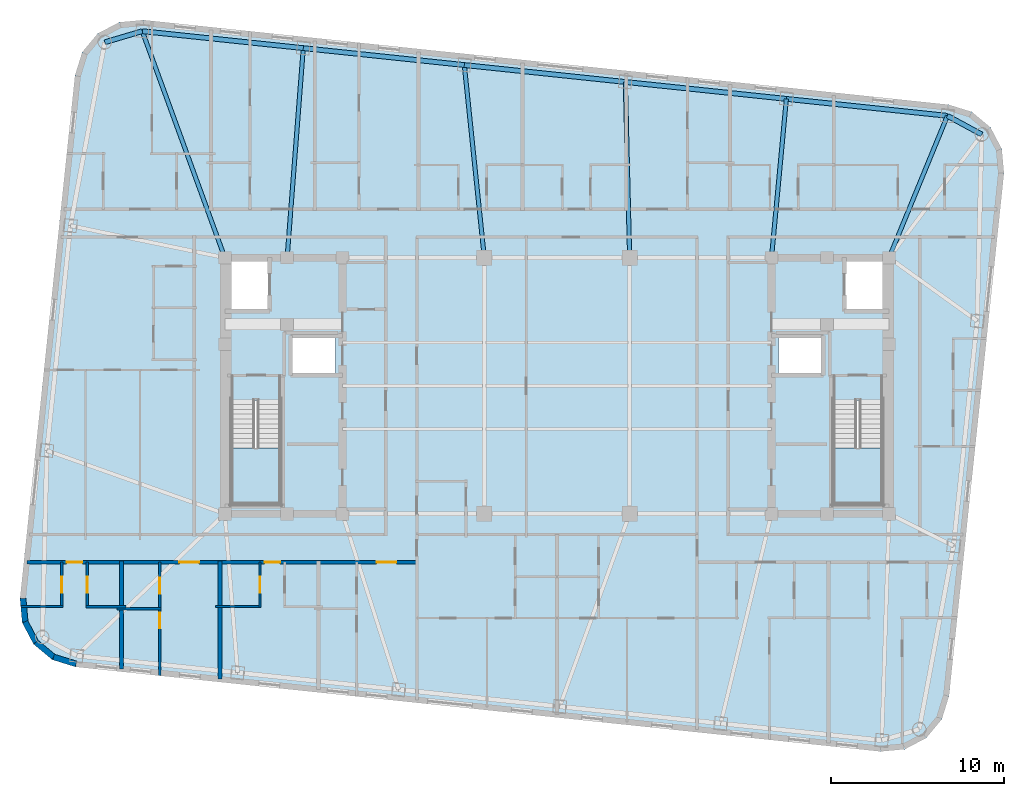
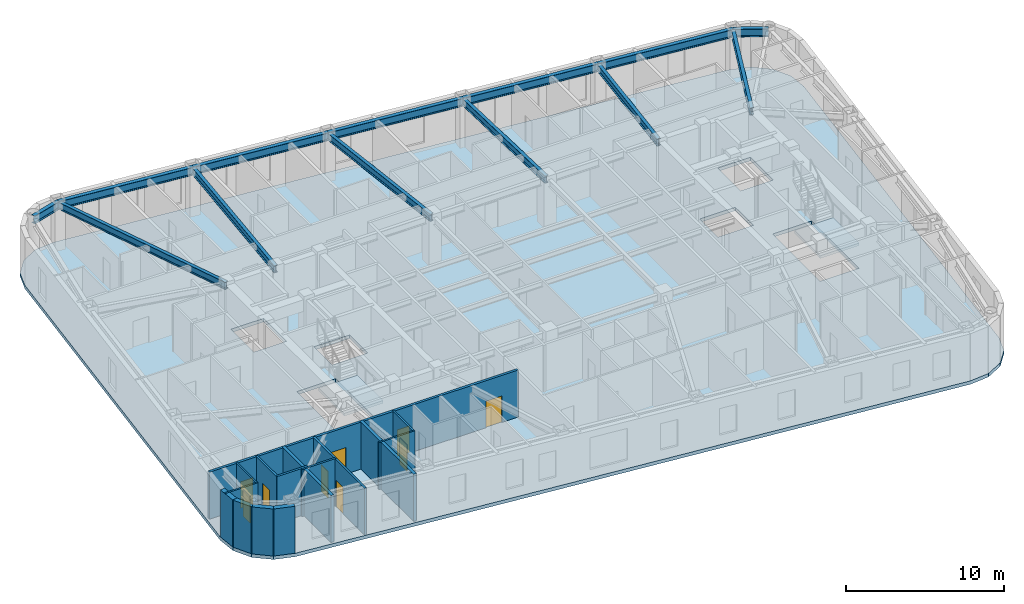
# One storey, part 2 of 11: 16 walls, 13 beams, 9 doors, 3 slabs, 9 openings, 2 elements without a shape of their own.
"""IFC4 building model written with IfcOpenShell, lengths in metres."""

import ifcopenshell
import ifcopenshell.guid

model = None  # the IFC model being written
_history = None  # IfcOwnerHistory: only IFC2X3 demands one
_inside = {}  # id of a spatial element -> (the spatial element, [elements in it])
_under = {}  # id of a project, library or spatial element -> (it, [spatial elements below it])
_declared = {}  # id of a project -> (the project, [libraries it declares])
_typed = {}  # id of a type object -> (the type object, [elements of that type])
_made_of = {}  # id of a material, layer set ... -> (it, [elements and type objects made of it])


def new_model(schema):
    """Start an empty IFC model of exactly this schema.

    Asked for "IFC4X3", IfcOpenShell would pick the latest addendum, in which some entities
    have other attributes; the version numbers below select the first issue.
    IFC2X3 requires an IfcOwnerHistory on every rooted entity: one is made here for all.
    """
    global model, _history
    if schema == "IFC4X3":
        model = ifcopenshell.file(schema_version=(4, 3, 0, 0))
    else:
        model = ifcopenshell.file(schema=schema)
    _inside.clear()
    _under.clear()
    _declared.clear()
    _typed.clear()
    _made_of.clear()
    _history = None
    if model.schema == "IFC2X3":
        org = make("IfcOrganization", Name="unknown")
        user = make(
            "IfcPersonAndOrganization",
            ThePerson=make("IfcPerson", FamilyName="unknown"),
            TheOrganization=org,
        )
        app = make(
            "IfcApplication",
            ApplicationDeveloper=org,
            Version="unknown",
            ApplicationFullName="unknown",
            ApplicationIdentifier="unknown",
        )
        _history = make(
            "IfcOwnerHistory",
            OwningUser=user,
            OwningApplication=app,
            ChangeAction="ADDED",
            CreationDate=0,
        )
    return model


def make(cls, **values):
    """One entity of the class cls with the attributes given. An attribute that is None is left unset."""
    return model.create_entity(
        cls, **{name: value for name, value in values.items() if value is not None}
    )


def rooted(cls, **values):
    """An entity with a GlobalId (a new one), such as an element, a storey or a relation."""
    return make(cls, GlobalId=ifcopenshell.guid.new(), OwnerHistory=_history, **values)


def si_unit(unit_type, name, prefix=None):
    """IfcSIUnit, for example si_unit("LENGTHUNIT", "METRE", prefix="MILLI")."""
    return make("IfcSIUnit", UnitType=unit_type, Prefix=prefix, Name=name)


def assignment(units):
    """IfcUnitAssignment: the units of a project."""
    return None if units is None else make("IfcUnitAssignment", Units=units)


def point(xyz):
    """IfcCartesianPoint."""
    return None if xyz is None else make("IfcCartesianPoint", Coordinates=xyz)


def direction(xyz):
    """IfcDirection."""
    return None if xyz is None else make("IfcDirection", DirectionRatios=xyz)


def frame(location, z_axis=None, x_axis=None):
    """IfcAxis2Placement3D, a coordinate frame: its origin and axes. An axis left out is left unset."""
    return make(
        "IfcAxis2Placement3D",
        Location=point(location),
        Axis=direction(z_axis),
        RefDirection=direction(x_axis),
    )


def frame_2d(location, x_axis=None):
    """IfcAxis2Placement2D, a coordinate frame in the plane: its origin and x axis."""
    return make(
        "IfcAxis2Placement2D", Location=point(location), RefDirection=direction(x_axis)
    )


def origin():
    """The frame at (0, 0, 0) with its axes left unset."""
    return frame((0.0, 0.0, 0.0))


def origin_2d():
    """The frame at (0, 0) in the plane with its x axis left unset."""
    return frame_2d((0.0, 0.0))


def place(relative_to, where):
    """IfcLocalPlacement: puts the frame where relative to a parent placement (None: the world)."""
    return make(
        "IfcLocalPlacement", PlacementRelTo=relative_to, RelativePlacement=where
    )


def context(
    kind, dimensions, precision=None, world=None, true_north=None, identifier=None
):
    """IfcGeometricRepresentationContext, for example the 3D "Model" context."""
    return make(
        "IfcGeometricRepresentationContext",
        ContextIdentifier=identifier,
        ContextType=kind,
        CoordinateSpaceDimension=dimensions,
        Precision=precision,
        WorldCoordinateSystem=world,
        TrueNorth=true_north,
    )


def subcontext(parent, identifier, kind, view, scale=None):
    """IfcGeometricRepresentationSubContext, for example "Body" below "Model"."""
    return make(
        "IfcGeometricRepresentationSubContext",
        ContextIdentifier=identifier,
        ContextType=kind,
        ParentContext=parent,
        TargetScale=scale,
        TargetView=view,
    )


def project(units=None, contexts=None):
    """IfcProject with its units and contexts."""
    return rooted(
        "IfcProject",
        Name="project",
        RepresentationContexts=contexts,
        UnitsInContext=assignment(units),
    )


def spatial(cls, under=None, at=None, **own):
    """A site, building, storey or space (cls), placed at a placement, below another one or the project."""
    s = rooted(cls, ObjectPlacement=at, **own)
    if under is not None:
        _under.setdefault(under.id(), (under, []))[1].append(s)
    return s


def polyline(points):
    """IfcPolyline through the points."""
    return make("IfcPolyline", Points=[point(p) for p in points])


def profile(cls, at=None, kind="AREA", **sizes):
    """A parametric profile (cls). Its sizes go by their IFC names, for example OverallWidth=200.0."""
    return make(cls, ProfileType=kind, Position=at, **sizes)


def rectangle(**sizes):
    """IfcRectangleProfileDef."""
    return profile("IfcRectangleProfileDef", **sizes)


def i_section(**sizes):
    """IfcIShapeProfileDef."""
    return profile("IfcIShapeProfileDef", **sizes)


def outline(outer, holes=None, kind="AREA"):
    """IfcArbitraryClosedProfileDef: a profile drawn as a closed curve; with holes, ...WithVoids."""
    if holes is None:
        return make("IfcArbitraryClosedProfileDef", ProfileType=kind, OuterCurve=outer)
    return make(
        "IfcArbitraryProfileDefWithVoids",
        ProfileType=kind,
        OuterCurve=outer,
        InnerCurves=holes,
    )


def extrude(swept, where, along, depth):
    """IfcExtrudedAreaSolid: the profile swept, set in the frame where, extruded along a direction by depth."""
    return make(
        "IfcExtrudedAreaSolid",
        SweptArea=swept,
        Position=where,
        ExtrudedDirection=direction(along),
        Depth=depth,
    )


def shape(context_of_items, identifier, shape_type, items):
    """IfcShapeRepresentation: the items that make up one representation, for example the "Body"."""
    return make(
        "IfcShapeRepresentation",
        ContextOfItems=context_of_items,
        RepresentationIdentifier=identifier,
        RepresentationType=shape_type,
        Items=items,
    )


def material(Name=None, Category=None):
    """IfcMaterial."""
    return make("IfcMaterial", Name=Name, Category=Category)


def layer(
    of_material, thickness, ventilated=None, Name=None, Category=None, Priority=None
):
    """IfcMaterialLayer: one layer of a wall or slab, of a material (None: an air gap)."""
    return make(
        "IfcMaterialLayer",
        Material=of_material,
        LayerThickness=thickness,
        IsVentilated=ventilated,
        Name=Name,
        Category=Category,
        Priority=Priority,
    )


def layer_set(layers, Name=None):
    """IfcMaterialLayerSet."""
    return make("IfcMaterialLayerSet", MaterialLayers=layers, LayerSetName=Name)


def material_profile(
    of_material, cross_section, Name=None, Category=None, Priority=None
):
    """IfcMaterialProfile: a cross section and its material."""
    return make(
        "IfcMaterialProfile",
        Name=Name,
        Material=of_material,
        Profile=cross_section,
        Priority=Priority,
        Category=Category,
    )


def profile_set(profiles, Name=None, composite=None):
    """IfcMaterialProfileSet."""
    return make(
        "IfcMaterialProfileSet",
        Name=Name,
        MaterialProfiles=profiles,
        CompositeProfile=composite,
    )


def made_of(thing, what):
    """Note that an element or type object is made of a material, layer set ...; save() writes the relation."""
    if what is not None:
        _made_of.setdefault(what.id(), (what, []))[1].append(thing)
    return thing


def type_object(cls, material=None, **own):
    """A type object (cls), such as IfcWallType, which elements share."""
    return made_of(rooted(cls, **own), material)


def element(
    cls,
    number,
    at=None,
    inside=None,
    cuts=None,
    type_object=None,
    material=None,
    context=None,
    identifier="Body",
    shape_type=None,
    held_by="IfcProductDefinitionShape",
    body=None,
    shapes=None,
    **own,
):
    """One element of the class cls, such as IfcWall. Its Tag is "e" and its number.

    at: its placement. inside: the storey or other place that contains it. cuts: it is an
    opening in that element (IfcRelVoidsElement). A single representation is given by context,
    identifier, shape_type and body (its items); several are given by shapes. held_by: the class
    of the entity that holds the representations. save() writes the other relations.
    """
    e = rooted(cls, Tag="e%d" % number, ObjectPlacement=at, **own)
    if body is not None:
        shapes = [shape(context, identifier, shape_type, body)]
    if shapes is not None:
        e.Representation = make(held_by, Representations=shapes)
    if inside is not None:
        _inside.setdefault(inside.id(), (inside, []))[1].append(e)
    if cuts is not None:
        rooted(
            "IfcRelVoidsElement", RelatingBuildingElement=cuts, RelatedOpeningElement=e
        )
    if type_object is not None:
        _typed.setdefault(type_object.id(), (type_object, []))[1].append(e)
    return made_of(e, material)


def fill(opening, filler):
    """IfcRelFillsElement: the door or window that sits in an opening."""
    return rooted(
        "IfcRelFillsElement",
        RelatingOpeningElement=opening,
        RelatedBuildingElement=filler,
    )


def aggregate(whole, parts):
    """IfcRelAggregates: a whole, such as a stair, and the parts it consists of."""
    return rooted("IfcRelAggregates", RelatingObject=whole, RelatedObjects=parts)


def save(model, path):
    """Write the relations noted so far, then the file.

    IfcRelAggregates (storeys below a building ...), IfcRelContainedInSpatialStructure (elements
    in a storey), IfcRelDefinesByType, IfcRelAssociatesMaterial and IfcRelDeclares: one each for
    every whole, place, type object, material and project.
    """
    for whole, parts in _under.values():
        aggregate(whole, parts)
    for where, things in _inside.values():
        rooted(
            "IfcRelContainedInSpatialStructure",
            RelatedElements=things,
            RelatingStructure=where,
        )
    for kind, things in _typed.values():
        rooted("IfcRelDefinesByType", RelatedObjects=things, RelatingType=kind)
    for what, things in _made_of.values():
        rooted("IfcRelAssociatesMaterial", RelatedObjects=things, RelatingMaterial=what)
    for by, libraries in _declared.values():
        rooted("IfcRelDeclares", RelatingContext=by, RelatedDefinitions=libraries)
    model.write(path)


model = new_model("IFC4")

# Units and contexts
model_context = context("Model", 3, precision=1e-05, world=origin(), true_north=direction((0.0, 1.0)))
body_context = subcontext(model_context, "Body", "Model", "MODEL_VIEW")
ifc_project = project(units=[si_unit("LENGTHUNIT", "METRE"), si_unit("AREAUNIT", "SQUARE_METRE"), si_unit("VOLUMEUNIT", "CUBIC_METRE"), si_unit("PLANEANGLEUNIT", "RADIAN"), si_unit("MASSUNIT", "GRAM", prefix="KILO")], contexts=[model_context])

# Site, building, storey
site_placement = place(None, origin())
site = spatial("IfcSite", under=ifc_project, at=site_placement, CompositionType="ELEMENT")
building_placement = place(site_placement, origin())
building = spatial("IfcBuilding", under=site, at=building_placement, Name="Voryun Gate Residences", CompositionType="ELEMENT")
storey_placement = place(building_placement, frame((0.0, 0.0, 295.10009765625)))
storey = spatial("IfcBuildingStorey", under=building, at=storey_placement, Name="L73", CompositionType="ELEMENT", Elevation=295.10009765625)

# Beams
ifc_material_1 = material(Name="Steel SM355", Category="steel")
ifc_material_profile_1 = material_profile(ifc_material_1, i_section(OverallWidth=0.280029296875, OverallDepth=0.6201171875, WebThickness=0.013916015625, FlangeThickness=0.02197265625, FilletRadius=0.01806640625, at=origin_2d()), Name="H-620x280x14x22")
ifc_profile_set_1 = profile_set([ifc_material_profile_1], Name="Steel SM355")
beam_type_1 = type_object("IfcBeamType", Name="BM_EXO_SPANDREL_H", PredefinedType="SPANDREL", material=ifc_profile_set_1)
beam_1_placement = place(storey_placement, frame((24.55322265625, 14.52734375, 3.324951171875), z_axis=(-0.878844363117, 0.477108567746, 0.0), x_axis=(-0.477108567746, -0.878844363117, 0.0)))
element("IfcBeam", 1, at=beam_1_placement, inside=storey, type_object=beam_type_1, Name="BM-L73-SPAND-10", PredefinedType="SPANDREL", context=body_context, shape_type="SweptSolid", body=[
    extrude(i_section(OverallWidth=0.280029296875, OverallDepth=0.6201171875, WebThickness=0.013916015625, FlangeThickness=0.02197265625, FilletRadius=0.01806640625, at=origin_2d()), origin(), (0.0, 0.0, 1.0), 2.257568359375),
])
beam_2_placement = place(storey_placement, frame((22.569091796875, 15.6044921875, 3.324951171875), z_axis=(-0.994520592114, 0.104540862157, 0.0), x_axis=(-0.104540862157, -0.994520592114, 0.0)))
element("IfcBeam", 2, at=beam_2_placement, inside=storey, type_object=beam_type_1, Name="BM-L73-SPAND-11", PredefinedType="SPANDREL", context=body_context, shape_type="SweptSolid", body=[
    extrude(i_section(OverallWidth=0.280029296875, OverallDepth=0.6201171875, WebThickness=0.013916015625, FlangeThickness=0.02197265625, FilletRadius=0.01806640625, at=origin_2d()), origin(), (0.0, 0.0, 1.0), 9.360107421875),
])
beam_3_placement = place(storey_placement, frame((13.26025390625, 16.5830078125, 3.324951171875), z_axis=(-0.994523018663, 0.104517775278, 0.0), x_axis=(-0.104517775278, -0.994523018663, 0.0)))
element("IfcBeam", 3, at=beam_3_placement, inside=storey, type_object=beam_type_1, Name="BM-L73-SPAND-12", PredefinedType="SPANDREL", context=body_context, shape_type="SweptSolid", body=[
    extrude(i_section(OverallWidth=0.280029296875, OverallDepth=0.6201171875, WebThickness=0.013916015625, FlangeThickness=0.02197265625, FilletRadius=0.01806640625, at=origin_2d()), origin(), (0.0, 0.0, 1.0), 9.35986328125),
])
for number, where, z_axis, x_axis, name in (
    (4, (3.95166015625, 17.561279296875, 3.324951171875), (-0.994520592114, 0.104540862157, 0.0), (-0.104540862157, -0.994520592114, 0.0), "BM-L73-SPAND-13"),
    (5, (-5.357177734375, 18.539794921875, 3.324951171875), (-0.994523303591, 0.104515064059, 0.0), (-0.104515064059, -0.994523303591, 0.0), "BM-L73-SPAND-14"),
):
    element("IfcBeam", number, at=place(storey_placement, frame(where, z_axis=z_axis, x_axis=x_axis)), inside=storey, type_object=beam_type_1, Name=name, PredefinedType="SPANDREL", context=body_context, shape_type="SweptSolid", body=[
        extrude(i_section(OverallWidth=0.280029296875, OverallDepth=0.6201171875, WebThickness=0.013916015625, FlangeThickness=0.02197265625, FilletRadius=0.01806640625, at=origin_2d()), origin(), (0.0, 0.0, 1.0), 9.360107421875),
    ])
beam_4_placement = place(storey_placement, frame((-14.666015625, 19.51806640625, 3.324951171875), z_axis=(-0.994520307047, 0.104543574031, 0.0), x_axis=(-0.104543574031, -0.994520307047, 0.0)))
element("IfcBeam", 6, at=beam_4_placement, inside=storey, type_object=beam_type_1, Name="BM-L73-SPAND-15", PredefinedType="SPANDREL", context=body_context, shape_type="SweptSolid", body=[
    extrude(i_section(OverallWidth=0.280029296875, OverallDepth=0.6201171875, WebThickness=0.013916015625, FlangeThickness=0.02197265625, FilletRadius=0.01806640625, at=origin_2d()), origin(), (0.0, 0.0, 1.0), 9.35986328125),
])
beam_5_placement = place(storey_placement, frame((-23.974609375, 20.49658203125, 3.324951171875), z_axis=(-0.958805748412, -0.28406255792, 0.0), x_axis=(0.28406255792, -0.958805748412, 0.0)))
element("IfcBeam", 7, at=beam_5_placement, inside=storey, type_object=beam_type_1, Name="BM-L73-SPAND-16", PredefinedType="SPANDREL", context=body_context, shape_type="SweptSolid", body=[
    extrude(i_section(OverallWidth=0.280029296875, OverallDepth=0.6201171875, WebThickness=0.013916015625, FlangeThickness=0.02197265625, FilletRadius=0.01806640625, at=origin_2d()), origin(), (0.0, 0.0, 1.0), 2.2578125),
])
ifc_material_2 = material(Name="Steel SM355", Category="steel")
ifc_material_profile_2 = material_profile(ifc_material_2, i_section(OverallWidth=0.239990234375, OverallDepth=0.550048828125, WebThickness=0.011962890625, FlangeThickness=0.02001953125, FilletRadius=0.01806640625, at=origin_2d()), Name="H-550x240x12x20")
ifc_profile_set_2 = profile_set([ifc_material_profile_2], Name="Steel SM355")
beam_type_2 = type_object("IfcBeamType", Name="BM_GIRD_550", PredefinedType="USERDEFINED", material=ifc_profile_set_2)
beam_6_placement = place(storey_placement, frame((19.199951171875, 7.39990234375, 3.35986328125), z_axis=(0.379860811741, 0.925043655026, 0.0), x_axis=(-0.925043655026, 0.379860811741, 0.0)))
element("IfcBeam", 8, at=beam_6_placement, inside=storey, type_object=beam_type_2, Name="BM-L73-RAD-N1", ObjectType="GIRDER", PredefinedType="USERDEFINED", context=body_context, shape_type="SweptSolid", body=[
    extrude(i_section(OverallWidth=0.239990234375, OverallDepth=0.550048828125, WebThickness=0.011962890625, FlangeThickness=0.02001953125, FilletRadius=0.01806640625, at=origin_2d()), origin(), (0.0, 0.0, 1.0), 8.869384765625),
])
beam_7_placement = place(storey_placement, frame((12.39990234375, 7.39990234375, 3.35986328125), z_axis=(0.093280030115, 0.995639912811, 0.0), x_axis=(-0.995639912811, 0.093280030115, 0.0)))
element("IfcBeam", 9, at=beam_7_placement, inside=storey, type_object=beam_type_2, Name="BM-L73-RAD-N2", ObjectType="GIRDER", PredefinedType="USERDEFINED", context=body_context, shape_type="SweptSolid", body=[
    extrude(i_section(OverallWidth=0.239990234375, OverallDepth=0.550048828125, WebThickness=0.011962890625, FlangeThickness=0.02001953125, FilletRadius=0.01806640625, at=origin_2d()), origin(), (0.0, 0.0, 1.0), 9.223388671875),
])
beam_8_placement = place(storey_placement, frame((4.199951171875, 7.39990234375, 3.35986328125), z_axis=(-0.024427489288, 0.999701604364, 0.0), x_axis=(-0.999701604364, -0.024427489288, 0.0)))
element("IfcBeam", 10, at=beam_8_placement, inside=storey, type_object=beam_type_2, Name="BM-L73-RAD-N3", ObjectType="GIRDER", PredefinedType="USERDEFINED", context=body_context, shape_type="SweptSolid", body=[
    extrude(i_section(OverallWidth=0.239990234375, OverallDepth=0.550048828125, WebThickness=0.011962890625, FlangeThickness=0.02001953125, FilletRadius=0.01806640625, at=origin_2d()), origin(), (0.0, 0.0, 1.0), 10.164306640625),
])
beam_9_placement = place(storey_placement, frame((-4.199951171875, 7.39990234375, 3.35986328125), z_axis=(-0.103325291149, 0.994647618109, 0.0), x_axis=(-0.994647618109, -0.103325291149, 0.0)))
element("IfcBeam", 11, at=beam_9_placement, inside=storey, type_object=beam_type_2, Name="BM-L73-RAD-N4", ObjectType="GIRDER", PredefinedType="USERDEFINED", context=body_context, shape_type="SweptSolid", body=[
    extrude(i_section(OverallWidth=0.239990234375, OverallDepth=0.550048828125, WebThickness=0.011962890625, FlangeThickness=0.02001953125, FilletRadius=0.01806640625, at=origin_2d()), origin(), (0.0, 0.0, 1.0), 11.199951171875),
])
beam_10_placement = place(storey_placement, frame((-15.60009765625, 7.39990234375, 3.35986328125), z_axis=(0.07685317718, 0.997042420942, 0.0), x_axis=(-0.997042420942, 0.07685317718, 0.0)))
element("IfcBeam", 12, at=beam_10_placement, inside=storey, type_object=beam_type_2, Name="BM-L73-RAD-N5", ObjectType="GIRDER", PredefinedType="USERDEFINED", context=body_context, shape_type="SweptSolid", body=[
    extrude(i_section(OverallWidth=0.239990234375, OverallDepth=0.550048828125, WebThickness=0.011962890625, FlangeThickness=0.02001953125, FilletRadius=0.01806640625, at=origin_2d()), origin(), (0.0, 0.0, 1.0), 12.154052734375),
])
beam_11_placement = place(storey_placement, frame((-19.199951171875, 7.39990234375, 3.35986328125), z_axis=(-0.342517773666, 0.939511348906, 0.0), x_axis=(-0.939511348906, -0.342517773666, 0.0)))
element("IfcBeam", 13, at=beam_11_placement, inside=storey, type_object=beam_type_2, Name="BM-L73-RAD-N6", ObjectType="GIRDER", PredefinedType="USERDEFINED", context=body_context, shape_type="SweptSolid", body=[
    extrude(i_section(OverallWidth=0.239990234375, OverallDepth=0.550048828125, WebThickness=0.011962890625, FlangeThickness=0.02001953125, FilletRadius=0.01806640625, at=origin_2d()), origin(), (0.0, 0.0, 1.0), 13.93994140625),
])

# Slab
ifc_material_3 = material(Name="Concrete C40/50", Category="concrete")
ifc_layer_1 = layer(ifc_material_3, 0.264892578125, Name="SLB_PENT_265")
ifc_layer_set_1 = layer_set([ifc_layer_1], Name="Concrete C40/50")
slab_type_1 = type_object("IfcSlabType", Name="SLB_PENT_265", PredefinedType="FLOOR", material=ifc_layer_set_1)
slab_1_placement = place(storey_placement, frame((0.0, 0.0, -0.26513671875)))
element("IfcSlab", 14, at=slab_1_placement, inside=storey, type_object=slab_type_1, Name="L73 Structural Floor Slab", PredefinedType="FLOOR", context=body_context, shape_type="SweptSolid", body=[
    extrude(outline(polyline([(-27.8369140625, -16.2509765625), (-29.178466796875, -15.83447265625), (-30.25830078125, -14.936279296875), (-30.912353515625, -13.693115234375), (-31.041015625, -12.29443359375), (-27.86328125, 17.93896484375), (-27.44677734375, 19.280517578125), (-26.548583984375, 20.3603515625), (-25.305419921875, 21.014404296875), (-23.90673828125, 21.14306640625), (22.636962890625, 16.2509765625), (23.978515625, 15.83447265625), (25.058349609375, 14.936279296875), (25.71240234375, 13.693115234375), (25.8408203125, 12.29443359375), (22.663330078125, -17.93896484375), (22.246826171875, -19.280517578125), (21.3486328125, -20.3603515625), (20.10546875, -21.014404296875), (18.706787109375, -21.14306640625), (-27.8369140625, -16.2509765625)]), holes=[polyline([(-15.97509765625, -0.840087890625), (-18.824951171875, -0.840087890625), (-18.824951171875, -6.85009765625), (-15.97509765625, -6.85009765625), (-15.97509765625, -0.840087890625)]), polyline([(18.824951171875, -6.85009765625), (18.824951171875, -0.840087890625), (15.97509765625, -0.840087890625), (15.97509765625, -6.85009765625), (18.824951171875, -6.85009765625)]), polyline([(-12.800048828125, 2.89990234375), (-15.39990234375, 2.89990234375), (-15.39990234375, 0.60009765625), (-12.800048828125, 0.60009765625), (-12.800048828125, 2.89990234375)]), polyline([(12.800048828125, 2.89990234375), (12.800048828125, 0.60009765625), (15.39990234375, 0.60009765625), (15.39990234375, 2.89990234375), (12.800048828125, 2.89990234375)]), polyline([(-16.60009765625, 7.199951171875), (-19.0, 7.199951171875), (-19.0, 4.300048828125), (-16.60009765625, 4.300048828125), (-16.60009765625, 7.199951171875)]), polyline([(19.0, 7.199951171875), (16.60009765625, 7.199951171875), (16.60009765625, 4.300048828125), (19.0, 4.300048828125), (19.0, 7.199951171875)])]), origin(), (0.0, 0.0, 1.0), 0.26513671875),
])

# Stair, slab
ifc_material_4 = material(Name="Concrete C40/50", Category="concrete")
stair_type = type_object("IfcStairType", Name="STR_CORE_DOGLEG_1350", PredefinedType="HALF_TURN_STAIR", material=ifc_material_4)
stair_1_placement = place(storey_placement, origin())
stair_1 = element("IfcStair", 15, at=stair_1_placement, inside=storey, type_object=stair_type, Name="L73 Special Escape Stair ST-W1", PredefinedType="HALF_TURN_STAIR")
ifc_material_5 = material(Name="Concrete C40/50", Category="concrete")
ifc_layer_2 = layer(ifc_material_5, 0.199951171875, Name="SLB_STAIR_LANDING_200")
ifc_layer_set_2 = layer_set([ifc_layer_2], Name="Concrete C40/50")
slab_type_2 = type_object("IfcSlabType", Name="SLB_STAIR_LANDING_200", PredefinedType="LANDING", material=ifc_layer_set_2)
slab_2_placement = place(storey_placement, frame((0.0, 0.0, 1.75)))
slab_2 = element("IfcSlab", 16, at=slab_2_placement, type_object=slab_type_2, Name="ST-W1 landing 1", PredefinedType="LANDING", context=body_context, shape_type="SweptSolid", body=[
    extrude(outline(polyline([(-18.824951171875, -3.60009765625), (-18.824951171875, -6.85009765625), (-15.97509765625, -6.85009765625), (-15.97509765625, -3.60009765625), (-18.824951171875, -3.60009765625)])), origin(), (0.0, 0.0, 1.0), 0.199951171875),
])
aggregate(stair_1, [slab_2])

stair_2_placement = place(storey_placement, origin())
stair_2 = element("IfcStair", 17, at=stair_2_placement, inside=storey, type_object=stair_type, Name="L73 Special Escape Stair ST-E1", PredefinedType="HALF_TURN_STAIR")
slab_3_placement = place(storey_placement, frame((0.0, 0.0, 1.75)))
slab_3 = element("IfcSlab", 18, at=slab_3_placement, type_object=slab_type_2, Name="ST-E1 landing 1", PredefinedType="LANDING", context=body_context, shape_type="SweptSolid", body=[
    extrude(outline(polyline([(15.97509765625, -3.60009765625), (15.97509765625, -6.85009765625), (18.824951171875, -6.85009765625), (18.824951171875, -3.60009765625), (15.97509765625, -3.60009765625)])), origin(), (0.0, 0.0, 1.0), 0.199951171875),
])
aggregate(stair_2, [slab_3])

# Wall, openings, doors
ifc_material_6 = material(Name="Gypsum acoustic fireboard")
ifc_layer_3 = layer(ifc_material_6, 0.179931640625, Name="W_CORR_RATED_180")
ifc_layer_set_3 = layer_set([ifc_layer_3], Name="Gypsum acoustic fireboard")
wall_type_1 = type_object("IfcWallType", Name="W_CORR_RATED_180", PredefinedType="PARTITIONING", material=ifc_layer_set_3)
wall_1_placement = place(storey_placement, frame((-30.64990234375, -10.199951171875, 0.0), z_axis=(0.0, 0.0, 1.0), x_axis=(1.0, 0.0, 0.0)))
wall_1 = element("IfcWall", 19, at=wall_1_placement, inside=storey, type_object=wall_type_1, Name="Partition wall WP-L73-SCORR-W", PredefinedType="PARTITIONING", context=body_context, shape_type="SweptSolid", body=[
    extrude(rectangle(XDim=22.56982421875, YDim=0.179931640625, at=frame_2d((11.284912109375, 0.0))), origin(), (0.0, 0.0, 1.0), 3.635009765625),
])
opening_1_placement = place(wall_1_placement, frame((2.30810546875, 0.0, 0.0)))
opening_1 = element("IfcOpeningElement", 20, at=opening_1_placement, cuts=wall_1, Name="Opening D-INT-2", PredefinedType="OPENING", context=body_context, shape_type="SweptSolid", body=[
    extrude(rectangle(XDim=0.89990234375, YDim=2.050048828125, at=frame_2d((0.449951171875, 1.02490234375))), frame((0.0, 0.099853515625, 0.0), z_axis=(0.0, -1.0, 0.0), x_axis=(1.0, 0.0, 0.0)), (0.0, 0.0, 1.0), 0.199951171875),
])
opening_2_placement = place(wall_1_placement, frame((8.82080078125, 0.0, 0.0)))
opening_2 = element("IfcOpeningElement", 21, at=opening_2_placement, cuts=wall_1, Name="Opening D-UNIT-1", PredefinedType="OPENING", context=body_context, shape_type="SweptSolid", body=[
    extrude(rectangle(XDim=1.14990234375, YDim=2.050048828125, at=frame_2d((0.574951171875, 1.02490234375))), frame((0.0, 0.099853515625, 0.0), z_axis=(0.0, -1.0, 0.0), x_axis=(1.0, 0.0, 0.0)), (0.0, 0.0, 1.0), 0.199951171875),
])
opening_3_placement = place(wall_1_placement, frame((13.748779296875, 0.0, 0.0)))
opening_3 = element("IfcOpeningElement", 22, at=opening_3_placement, cuts=wall_1, Name="Opening D-INT-2", PredefinedType="OPENING", context=body_context, shape_type="SweptSolid", body=[
    extrude(rectangle(XDim=0.89990234375, YDim=2.050048828125, at=frame_2d((0.449951171875, 1.02490234375))), frame((0.0, 0.099853515625, 0.0), z_axis=(0.0, -1.0, 0.0), x_axis=(1.0, 0.0, 0.0)), (0.0, 0.0, 1.0), 0.199951171875),
])
opening_4_placement = place(wall_1_placement, frame((20.220947265625, 0.0, 0.0)))
opening_4 = element("IfcOpeningElement", 23, at=opening_4_placement, cuts=wall_1, Name="Opening D-UNIT-1", PredefinedType="OPENING", context=body_context, shape_type="SweptSolid", body=[
    extrude(rectangle(XDim=1.14990234375, YDim=2.050048828125, at=frame_2d((0.574951171875, 1.02490234375))), frame((0.0, 0.099853515625, 0.0), z_axis=(0.0, -1.0, 0.0), x_axis=(1.0, 0.0, 0.0)), (0.0, 0.0, 1.0), 0.199951171875),
])
ifc_material_7 = material(Name="Architectural oak veneer")
door_type_1 = type_object("IfcDoorType", Name="DR_INT_BATH_900", OperationType="NOTDEFINED", PredefinedType="DOOR", material=ifc_material_7)
door_1_placement = place(opening_1_placement, origin())
door_1 = element("IfcDoor", 24, at=door_1_placement, inside=storey, type_object=door_type_1, Name="Door DR-L73-SENT-1", OperationType="SINGLE_SWING_RIGHT", OverallHeight=2.050048828125, OverallWidth=0.89990234375, PredefinedType="DOOR", context=body_context, shape_type="SweptSolid", body=[
    extrude(rectangle(XDim=0.89990234375, YDim=2.050048828125, at=frame_2d((0.449951171875, 1.02490234375))), frame((0.0, 0.02490234375, 0.0), z_axis=(0.0, -1.0, 0.0), x_axis=(1.0, 0.0, 0.0)), (0.0, 0.0, 1.0), 0.050048828125),
])
fill(opening_1, door_1)
door_2_placement = place(opening_3_placement, origin())
door_2 = element("IfcDoor", 25, at=door_2_placement, inside=storey, type_object=door_type_1, Name="Door DR-L73-SENT-3", OperationType="SINGLE_SWING_RIGHT", OverallHeight=2.050048828125, OverallWidth=0.89990234375, PredefinedType="DOOR", context=body_context, shape_type="SweptSolid", body=[
    extrude(rectangle(XDim=0.89990234375, YDim=2.050048828125, at=frame_2d((0.449951171875, 1.02490234375))), frame((0.0, 0.02490234375, 0.0), z_axis=(0.0, -1.0, 0.0), x_axis=(1.0, 0.0, 0.0)), (0.0, 0.0, 1.0), 0.050048828125),
])
fill(opening_3, door_2)
ifc_material_8 = material(Name="Armoured timber-clad fire door", Category="wood")
door_type_2 = type_object("IfcDoorType", Name="DR_UNIT_ENTRY_1150", OperationType="NOTDEFINED", PredefinedType="DOOR", material=ifc_material_8)
door_3_placement = place(opening_2_placement, origin())
door_3 = element("IfcDoor", 26, at=door_3_placement, inside=storey, type_object=door_type_2, Name="Door DR-L73-SENT-2", OperationType="SINGLE_SWING_LEFT", OverallHeight=2.050048828125, OverallWidth=1.14990234375, PredefinedType="DOOR", context=body_context, shape_type="SweptSolid", body=[
    extrude(rectangle(XDim=1.14990234375, YDim=2.050048828125, at=frame_2d((0.574951171875, 1.02490234375))), frame((0.0, 0.02490234375, 0.0), z_axis=(0.0, -1.0, 0.0), x_axis=(1.0, 0.0, 0.0)), (0.0, 0.0, 1.0), 0.050048828125),
])
fill(opening_2, door_3)
door_4_placement = place(opening_4_placement, origin())
door_4 = element("IfcDoor", 27, at=door_4_placement, inside=storey, type_object=door_type_2, Name="Door DR-L73-SENT-4", OperationType="SINGLE_SWING_LEFT", OverallHeight=2.050048828125, OverallWidth=1.14990234375, PredefinedType="DOOR", context=body_context, shape_type="SweptSolid", body=[
    extrude(rectangle(XDim=1.14990234375, YDim=2.050048828125, at=frame_2d((0.574951171875, 1.02490234375))), frame((0.0, 0.02490234375, 0.0), z_axis=(0.0, -1.0, 0.0), x_axis=(1.0, 0.0, 0.0)), (0.0, 0.0, 1.0), 0.050048828125),
])
fill(opening_4, door_4)

# Walls
ifc_material_9 = material(Name="Charcoal terracotta masonry", Category="masonry")
ifc_layer_4 = layer(ifc_material_9, 0.340087890625, Name="W_EXT_TERRACOTTA_340")
ifc_layer_set_4 = layer_set([ifc_layer_4], Name="Charcoal terracotta masonry")
wall_type_2 = type_object("IfcWallType", Name="W_EXT_TERRACOTTA_340", PredefinedType="ELEMENTEDWALL", material=ifc_layer_set_4)
wall_2_placement = place(storey_placement, frame((-27.802490234375, -16.083740234375, 0.0), z_axis=(0.0, 0.0, 1.0), x_axis=(-0.955007802701, 0.296580674994, 0.0)))
element("IfcWall", 28, at=wall_2_placement, inside=storey, type_object=wall_type_2, Name="Exterior wall WEXT-L73-02", PredefinedType="ELEMENTEDWALL", context=body_context, shape_type="SweptSolid", body=[
    extrude(rectangle(XDim=1.354248046875, YDim=0.340087890625, at=frame_2d((0.67724609375, 0.0))), origin(), (0.0, 0.0, 1.0), 3.635009765625),
])
wall_3_placement = place(storey_placement, frame((-29.095703125, -15.68212890625, 0.0), z_axis=(0.0, 0.0, 1.0), x_axis=(-0.768864427906, 0.639411832469, 0.0)))
element("IfcWall", 29, at=wall_3_placement, inside=storey, type_object=wall_type_2, Name="Exterior wall WEXT-L73-03", PredefinedType="ELEMENTEDWALL", context=body_context, shape_type="SweptSolid", body=[
    extrude(rectangle(XDim=1.337158203125, YDim=0.340087890625, at=frame_2d((0.66845703125, 0.0))), origin(), (0.0, 0.0, 1.0), 3.635009765625),
])
wall_4_placement = place(storey_placement, frame((-30.123779296875, -14.8271484375, 0.0), z_axis=(0.0, 0.0, 1.0), x_axis=(-0.465528132217, 0.885033083062, 0.0)))
element("IfcWall", 30, at=wall_4_placement, inside=storey, type_object=wall_type_2, Name="Exterior wall WEXT-L73-04", PredefinedType="ELEMENTEDWALL", context=body_context, shape_type="SweptSolid", body=[
    extrude(rectangle(XDim=1.3369140625, YDim=0.340087890625, at=frame_2d((0.66845703125, 0.0))), origin(), (0.0, 0.0, 1.0), 3.635009765625),
])
wall_5_placement = place(storey_placement, frame((-30.74609375, -13.64404296875, 0.0), z_axis=(0.0, 0.0, 1.0), x_axis=(-0.091592370975, 0.995796584438, 0.0)))
element("IfcWall", 31, at=wall_5_placement, inside=storey, type_object=wall_type_2, Name="Exterior wall WEXT-L73-05", PredefinedType="ELEMENTEDWALL", context=body_context, shape_type="SweptSolid", body=[
    extrude(rectangle(XDim=1.35400390625, YDim=0.340087890625, at=frame_2d((0.677001953125, 0.0))), origin(), (0.0, 0.0, 1.0), 3.635009765625),
])
ifc_material_10 = material(Name="Concrete C40/50", Category="concrete")
ifc_layer_5 = layer(ifc_material_10, 0.219970703125, Name="W_PARTY_ACOUSTIC_220")
ifc_layer_set_5 = layer_set([ifc_layer_5], Name="Concrete C40/50")
wall_type_3 = type_object("IfcWallType", Name="W_PARTY_ACOUSTIC_220", PredefinedType="PARTITIONING", material=ifc_layer_set_5)
wall_6_placement = place(storey_placement, frame((-25.177978515625, -16.359619140625, 0.0), z_axis=(0.0, 0.0, 1.0), x_axis=(0.0, 1.0, 0.0)))
element("IfcWall", 32, at=wall_6_placement, inside=storey, type_object=wall_type_3, Name="Partition wall WP-L73-SPTY-1", PredefinedType="PARTITIONING", context=body_context, shape_type="SweptSolid", body=[
    extrude(rectangle(XDim=6.239501953125, YDim=0.219970703125, at=frame_2d((3.11962890625, 0.0))), origin(), (0.0, 0.0, 1.0), 3.635009765625),
])
wall_7_placement = place(storey_placement, frame((-19.47802734375, -16.958740234375, 0.0), z_axis=(0.0, 0.0, 1.0), x_axis=(0.0, 1.0, 0.0)))
element("IfcWall", 33, at=wall_7_placement, inside=storey, type_object=wall_type_3, Name="Partition wall WP-L73-SPTY-2", PredefinedType="PARTITIONING", context=body_context, shape_type="SweptSolid", body=[
    extrude(rectangle(XDim=6.838623046875, YDim=0.219970703125, at=frame_2d((3.41943359375, 0.0))), origin(), (0.0, 0.0, 1.0), 3.635009765625),
])

# Wall, opening, door
ifc_material_11 = material(Name="Gypsum acoustic partition")
ifc_layer_6 = layer(ifc_material_11, 0.125, Name="W_UNIT_PART_125")
ifc_layer_set_6 = layer_set([ifc_layer_6], Name="Gypsum acoustic partition")
wall_type_4 = type_object("IfcWallType", Name="W_UNIT_PART_125", PredefinedType="PARTITIONING", material=ifc_layer_set_6)
wall_8_placement = place(storey_placement, frame((-28.626953125, -12.830078125, 0.0), z_axis=(0.0, 0.0, 1.0), x_axis=(0.0, 1.0, 0.0)))
wall_8 = element("IfcWall", 34, at=wall_8_placement, inside=storey, type_object=wall_type_4, Name="Partition wall WP-L73-S1-CVK", PredefinedType="PARTITIONING", context=body_context, shape_type="SweptSolid", body=[
    extrude(rectangle(XDim=2.650146484375, YDim=0.125, at=frame_2d((1.3251953125, 0.0))), origin(), (0.0, 0.0, 1.0), 3.635009765625),
])
opening_5_placement = place(wall_8_placement, frame((0.875, 0.0, 0.0)))
opening_5 = element("IfcOpeningElement", 35, at=opening_5_placement, cuts=wall_8, Name="Opening D-INT-2", PredefinedType="OPENING", context=body_context, shape_type="SweptSolid", body=[
    extrude(rectangle(XDim=0.89990234375, YDim=2.050048828125, at=frame_2d((0.449951171875, 1.02490234375))), frame((0.0, 0.072509765625, 0.0), z_axis=(0.0, -1.0, 0.0), x_axis=(1.0, 0.0, 0.0)), (0.0, 0.0, 1.0), 0.14501953125),
])
door_5_placement = place(opening_5_placement, origin())
door_5 = element("IfcDoor", 36, at=door_5_placement, inside=storey, type_object=door_type_1, Name="Door DR-L73-S1-DK", OperationType="SINGLE_SWING_LEFT", OverallHeight=2.050048828125, OverallWidth=0.89990234375, PredefinedType="DOOR", context=body_context, shape_type="SweptSolid", body=[
    extrude(rectangle(XDim=0.89990234375, YDim=2.050048828125, at=frame_2d((0.449951171875, 1.02490234375))), frame((0.0, 0.02490234375, 0.0), z_axis=(0.0, -1.0, 0.0), x_axis=(1.0, 0.0, 0.0)), (0.0, 0.0, 1.0), 0.050048828125),
])
fill(opening_5, door_5)

# Wall
wall_9_placement = place(storey_placement, frame((-30.97705078125, -12.77001953125, 0.0), z_axis=(0.0, 0.0, 1.0), x_axis=(1.0, 0.0, 0.0)))
element("IfcWall", 37, at=wall_9_placement, inside=storey, type_object=wall_type_4, Name="Partition wall WP-L73-S1-CHK", PredefinedType="PARTITIONING", context=body_context, shape_type="SweptSolid", body=[
    extrude(rectangle(XDim=2.41015625, YDim=0.125, at=frame_2d((1.205078125, 0.0))), origin(), (0.0, 0.0, 1.0), 3.635009765625),
])

# Wall, opening, door
wall_10_placement = place(storey_placement, frame((-17.16796875, -12.830078125, 0.0), z_axis=(0.0, 0.0, 1.0), x_axis=(0.0, 1.0, 0.0)))
wall_10 = element("IfcWall", 38, at=wall_10_placement, inside=storey, type_object=wall_type_4, Name="Partition wall WP-L73-S3-CVK", PredefinedType="PARTITIONING", context=body_context, shape_type="SweptSolid", body=[
    extrude(rectangle(XDim=2.650146484375, YDim=0.125, at=frame_2d((1.3251953125, 0.0))), origin(), (0.0, 0.0, 1.0), 3.635009765625),
])
opening_6_placement = place(wall_10_placement, frame((0.875, 0.0, 0.0)))
opening_6 = element("IfcOpeningElement", 39, at=opening_6_placement, cuts=wall_10, Name="Opening D-INT-2", PredefinedType="OPENING", context=body_context, shape_type="SweptSolid", body=[
    extrude(rectangle(XDim=0.89990234375, YDim=2.050048828125, at=frame_2d((0.449951171875, 1.02490234375))), frame((0.0, 0.072509765625, 0.0), z_axis=(0.0, -1.0, 0.0), x_axis=(1.0, 0.0, 0.0)), (0.0, 0.0, 1.0), 0.14501953125),
])
door_6_placement = place(opening_6_placement, origin())
door_6 = element("IfcDoor", 40, at=door_6_placement, inside=storey, type_object=door_type_1, Name="Door DR-L73-S3-DK", OperationType="SINGLE_SWING_LEFT", OverallHeight=2.050048828125, OverallWidth=0.89990234375, PredefinedType="DOOR", context=body_context, shape_type="SweptSolid", body=[
    extrude(rectangle(XDim=0.89990234375, YDim=2.050048828125, at=frame_2d((0.449951171875, 1.02490234375))), frame((0.0, 0.02490234375, 0.0), z_axis=(0.0, -1.0, 0.0), x_axis=(1.0, 0.0, 0.0)), (0.0, 0.0, 1.0), 0.050048828125),
])
fill(opening_6, door_6)

# Wall
wall_11_placement = place(storey_placement, frame((-19.738037109375, -12.77001953125, 0.0), z_axis=(0.0, 0.0, 1.0), x_axis=(1.0, 0.0, 0.0)))
element("IfcWall", 41, at=wall_11_placement, inside=storey, type_object=wall_type_4, Name="Partition wall WP-L73-S3-CHK", PredefinedType="PARTITIONING", context=body_context, shape_type="SweptSolid", body=[
    extrude(rectangle(XDim=2.630126953125, YDim=0.125, at=frame_2d((1.31494140625, 0.0))), origin(), (0.0, 0.0, 1.0), 3.635009765625),
])

# Wall, opening, door
ifc_material_12 = material(Name="Gypsum moisture-resistant partition")
ifc_layer_7 = layer(ifc_material_12, 0.14990234375, Name="W_WET_PLUMB_150")
ifc_layer_set_7 = layer_set([ifc_layer_7], Name="Gypsum moisture-resistant partition")
wall_type_5 = type_object("IfcWallType", Name="W_WET_PLUMB_150", PredefinedType="PLUMBINGWALL", material=ifc_layer_set_7)
wall_12_placement = place(storey_placement, frame((-27.155029296875, -12.830078125, 0.0), z_axis=(0.0, 0.0, 1.0), x_axis=(0.0, 1.0, 0.0)))
wall_12 = element("IfcWall", 42, at=wall_12_placement, inside=storey, type_object=wall_type_5, Name="Partition wall WP-L73-S1-CVB", PredefinedType="PLUMBINGWALL", context=body_context, shape_type="SweptSolid", body=[
    extrude(rectangle(XDim=2.650146484375, YDim=0.14990234375, at=frame_2d((1.3251953125, 0.0))), origin(), (0.0, 0.0, 1.0), 3.635009765625),
])
opening_7_placement = place(wall_12_placement, frame((0.875, 0.0, 0.0)))
opening_7 = element("IfcOpeningElement", 43, at=opening_7_placement, cuts=wall_12, Name="Opening D-INT-2", PredefinedType="OPENING", context=body_context, shape_type="SweptSolid", body=[
    extrude(rectangle(XDim=0.89990234375, YDim=2.050048828125, at=frame_2d((0.449951171875, 1.02490234375))), frame((0.0, 0.0849609375, 0.0), z_axis=(0.0, -1.0, 0.0), x_axis=(1.0, 0.0, 0.0)), (0.0, 0.0, 1.0), 0.169921875),
])
door_7_placement = place(opening_7_placement, origin())
door_7 = element("IfcDoor", 44, at=door_7_placement, inside=storey, type_object=door_type_1, Name="Door DR-L73-S1-DB", OperationType="SINGLE_SWING_RIGHT", OverallHeight=2.050048828125, OverallWidth=0.89990234375, PredefinedType="DOOR", context=body_context, shape_type="SweptSolid", body=[
    extrude(rectangle(XDim=0.89990234375, YDim=2.050048828125, at=frame_2d((0.449951171875, 1.02490234375))), frame((0.0, 0.02490234375, 0.0), z_axis=(0.0, -1.0, 0.0), x_axis=(1.0, 0.0, 0.0)), (0.0, 0.0, 1.0), 0.050048828125),
])
fill(opening_7, door_7)

# Walls
wall_13_placement = place(storey_placement, frame((-27.215087890625, -12.77001953125, 0.0), z_axis=(0.0, 0.0, 1.0), x_axis=(1.0, 0.0, 0.0)))
element("IfcWall", 45, at=wall_13_placement, inside=storey, type_object=wall_type_5, Name="Partition wall WP-L73-S1-CHB", PredefinedType="PLUMBINGWALL", context=body_context, shape_type="SweptSolid", body=[
    extrude(rectangle(XDim=2.297119140625, YDim=0.14990234375, at=frame_2d((1.1484375, 0.0))), origin(), (0.0, 0.0, 1.0), 3.635009765625),
])
wall_14_placement = place(storey_placement, frame((-25.43798828125, -12.89990234375, 0.0), z_axis=(0.0, 0.0, 1.0), x_axis=(1.0, 0.0, 0.0)))
element("IfcWall", 46, at=wall_14_placement, inside=storey, type_object=wall_type_5, Name="Partition wall WP-L73-S2-SKB", PredefinedType="PLUMBINGWALL", context=body_context, shape_type="SweptSolid", body=[
    extrude(rectangle(XDim=2.550048828125, YDim=0.14990234375, at=frame_2d((1.27490234375, 0.0))), origin(), (0.0, 0.0, 1.0), 3.635009765625),
])

# Wall, opening, door
wall_15_placement = place(storey_placement, frame((-22.968017578125, -16.74267578125, 0.0), z_axis=(0.0, 0.0, 1.0), x_axis=(0.0, 1.0, 0.0)))
wall_15 = element("IfcWall", 47, at=wall_15_placement, inside=storey, type_object=wall_type_5, Name="Partition wall WP-L73-S2-SVT1", PredefinedType="PLUMBINGWALL", context=body_context, shape_type="SweptSolid", body=[
    extrude(rectangle(XDim=3.882568359375, YDim=0.14990234375, at=frame_2d((1.94140625, 0.0))), origin(), (0.0, 0.0, 1.0), 3.635009765625),
])
opening_8_placement = place(wall_15_placement, frame((2.73388671875, 0.0, 0.0)))
opening_8 = element("IfcOpeningElement", 48, at=opening_8_placement, cuts=wall_15, Name="Opening D-INT-2", PredefinedType="OPENING", context=body_context, shape_type="SweptSolid", body=[
    extrude(rectangle(XDim=0.89990234375, YDim=2.050048828125, at=frame_2d((0.449951171875, 1.02490234375))), frame((0.0, 0.0849609375, 0.0), z_axis=(0.0, -1.0, 0.0), x_axis=(1.0, 0.0, 0.0)), (0.0, 0.0, 1.0), 0.169921875),
])
door_8_placement = place(opening_8_placement, origin())
door_8 = element("IfcDoor", 49, at=door_8_placement, inside=storey, type_object=door_type_1, Name="Door DR-L73-S2-DK", OperationType="SINGLE_SWING_LEFT", OverallHeight=2.050048828125, OverallWidth=0.89990234375, PredefinedType="DOOR", context=body_context, shape_type="SweptSolid", body=[
    extrude(rectangle(XDim=0.89990234375, YDim=2.050048828125, at=frame_2d((0.449951171875, 1.02490234375))), frame((0.0, 0.02490234375, 0.0), z_axis=(0.0, -1.0, 0.0), x_axis=(1.0, 0.0, 0.0)), (0.0, 0.0, 1.0), 0.050048828125),
])
fill(opening_8, door_8)

wall_16_placement = place(storey_placement, frame((-22.968017578125, -12.93994140625, 0.0), z_axis=(0.0, 0.0, 1.0), x_axis=(0.0, 1.0, 0.0)))
wall_16 = element("IfcWall", 50, at=wall_16_placement, inside=storey, type_object=wall_type_5, Name="Partition wall WP-L73-S2-SVT2", PredefinedType="PLUMBINGWALL", context=body_context, shape_type="SweptSolid", body=[
    extrude(rectangle(XDim=2.760009765625, YDim=0.14990234375, at=frame_2d((1.3798828125, 0.0))), origin(), (0.0, 0.0, 1.0), 3.635009765625),
])
opening_9_placement = place(wall_16_placement, frame((0.929931640625, 0.0, 0.0)))
opening_9 = element("IfcOpeningElement", 51, at=opening_9_placement, cuts=wall_16, Name="Opening D-INT-2", PredefinedType="OPENING", context=body_context, shape_type="SweptSolid", body=[
    extrude(rectangle(XDim=0.89990234375, YDim=2.050048828125, at=frame_2d((0.449951171875, 1.02490234375))), frame((0.0, 0.0849609375, 0.0), z_axis=(0.0, -1.0, 0.0), x_axis=(1.0, 0.0, 0.0)), (0.0, 0.0, 1.0), 0.169921875),
])
door_9_placement = place(opening_9_placement, origin())
door_9 = element("IfcDoor", 52, at=door_9_placement, inside=storey, type_object=door_type_1, Name="Door DR-L73-S2-DB", OperationType="SINGLE_SWING_RIGHT", OverallHeight=2.050048828125, OverallWidth=0.89990234375, PredefinedType="DOOR", context=body_context, shape_type="SweptSolid", body=[
    extrude(rectangle(XDim=0.89990234375, YDim=2.050048828125, at=frame_2d((0.449951171875, 1.02490234375))), frame((0.0, 0.02490234375, 0.0), z_axis=(0.0, -1.0, 0.0), x_axis=(1.0, 0.0, 0.0)), (0.0, 0.0, 1.0), 0.050048828125),
])
fill(opening_9, door_9)

save(model, "model.ifc")
